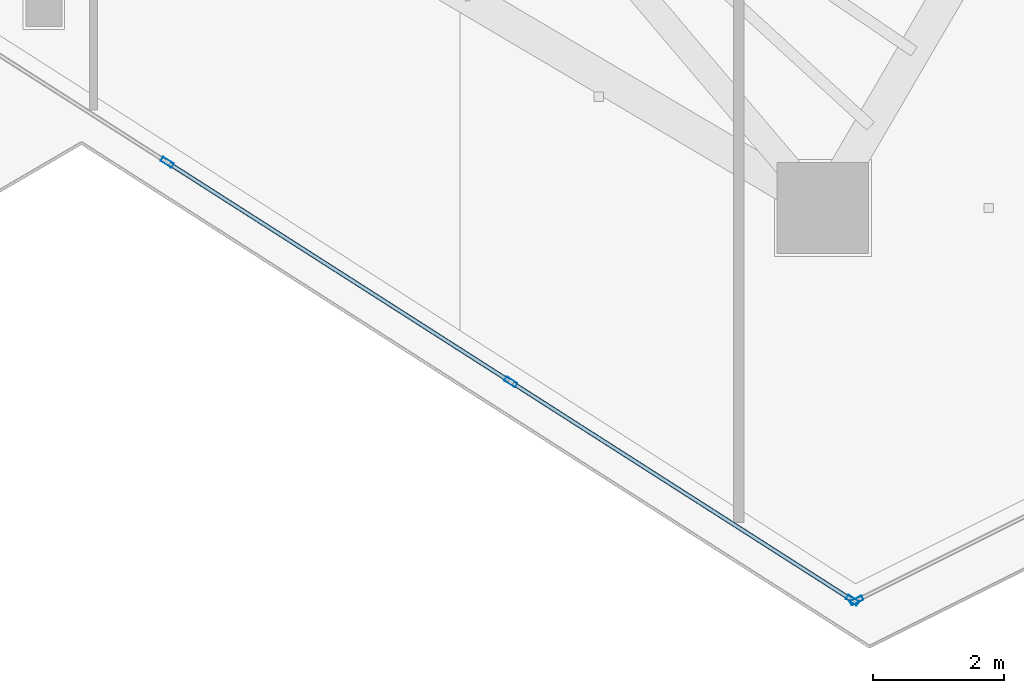
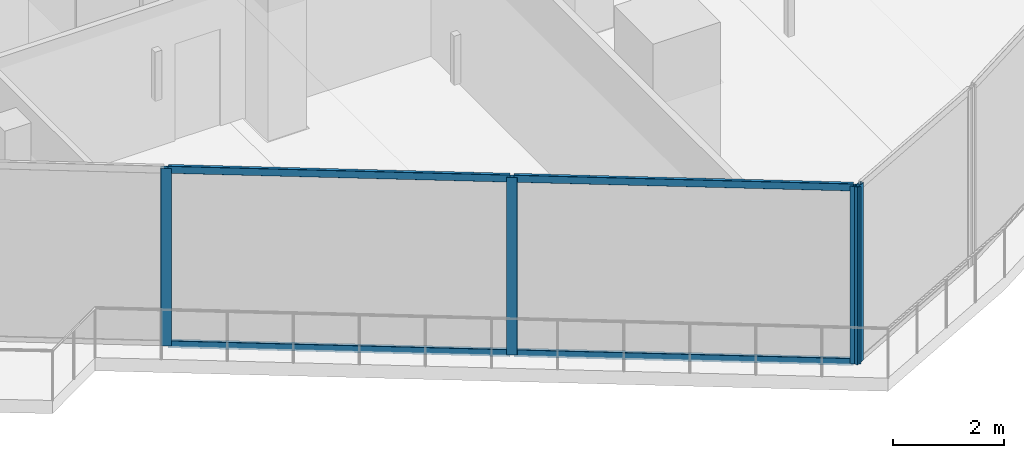
# One storey, part 3 of 27: 8 members, 2 elements without a shape of their own.
"""IFC4 building model written with IfcOpenShell, lengths in metres."""

from ifc_helpers import new_model, si_unit, direction, frame, origin, origin_2d, place, context, subcontext, project, spatial, hollow_rectangle, extrude, material, layer, layer_set, material_profile, profile_set, type_object, element, aggregate, save


model = new_model("IFC4")

# Units and contexts
model_context = context("Model", 3, precision=1e-05, world=origin(), true_north=direction((0.0, 1.0)))
body_context = subcontext(model_context, "Body", "Model", "MODEL_VIEW")
ifc_project = project(units=[si_unit("LENGTHUNIT", "METRE"), si_unit("AREAUNIT", "SQUARE_METRE"), si_unit("VOLUMEUNIT", "CUBIC_METRE"), si_unit("PLANEANGLEUNIT", "RADIAN"), si_unit("MASSUNIT", "GRAM", prefix="KILO")], contexts=[model_context])

# Site, building, storey
site_placement = place(None, origin())
site = spatial("IfcSite", under=ifc_project, at=site_placement, CompositionType="ELEMENT")
building_placement = place(site_placement, origin())
building = spatial("IfcBuilding", under=site, at=building_placement, Name="Qorvath Tower", CompositionType="ELEMENT")
storey_placement = place(building_placement, frame((0.0, 0.0, 293.39990234375)))
storey = spatial("IfcBuildingStorey", under=building, at=storey_placement, Name="L68", CompositionType="ELEMENT", Elevation=293.39990234375)

# Curtain wall, members
ifc_material_1 = material(Name="Anodised aluminium and triple low-E glass", Category="aluminium")
ifc_layer = layer(ifc_material_1, 0.179931640625)
ifc_layer_set = layer_set([ifc_layer], Name="CW-SYS-5")
curtain_wall_type = type_object("IfcCurtainWallType", Name="CW-SYS-5", PredefinedType="NOTDEFINED", material=ifc_layer_set)
curtain_wall_1_placement = place(storey_placement, origin())
curtain_wall_1 = element("IfcCurtainWall", 1, at=curtain_wall_1_placement, inside=storey, type_object=curtain_wall_type, Name="Curtain Wall CW-5 CW-T-L68-2.2", PredefinedType="NOTDEFINED")
ifc_material_2 = material(Name="Anodised aluminium 6063-T6", Category="aluminium")
ifc_material_profile_1 = material_profile(ifc_material_2, hollow_rectangle(XDim=0.074951171875, YDim=0.199951171875, WallThickness=0.00390625, InnerFilletRadius=0.00390625, OuterFilletRadius=0.008056640625, at=origin_2d()), Name="CWM 200x75")
ifc_profile_set_1 = profile_set([ifc_material_profile_1], Name="Anodised aluminium 6063-T6")
member_type_1 = type_object("IfcMemberType", Name="CWM-200", PredefinedType="MULLION", material=ifc_profile_set_1)
member_1_placement = place(storey_placement, frame((-28.789794921875, -16.4755859375, 0.0), z_axis=(0.0, 0.0, 1.0), x_axis=(0.538532681144, 0.842604623379, 0.0)))
member_1 = element("IfcMember", 2, at=member_1_placement, type_object=member_type_1, Name="CW-5 mullion 2", PredefinedType="MULLION", context=body_context, shape_type="SweptSolid", body=[
    extrude(hollow_rectangle(XDim=0.074951171875, YDim=0.199951171875, WallThickness=0.00390625, InnerFilletRadius=0.00390625, OuterFilletRadius=0.008056640625, at=origin_2d()), origin(), (0.0, 0.0, 1.0), 3.91015625),
])
member_2_placement = place(storey_placement, frame((-23.52783203125, -19.83837890625, 0.0), z_axis=(0.0, 0.0, 1.0), x_axis=(0.538532681144, 0.842604623379, 0.0)))
member_2 = element("IfcMember", 3, at=member_2_placement, type_object=member_type_1, Name="CW-5 mullion 3", PredefinedType="MULLION", context=body_context, shape_type="SweptSolid", body=[
    extrude(hollow_rectangle(XDim=0.074951171875, YDim=0.199951171875, WallThickness=0.00390625, InnerFilletRadius=0.00390625, OuterFilletRadius=0.008056640625, at=origin_2d()), origin(), (0.0, 0.0, 1.0), 3.91015625),
])
member_3_placement = place(storey_placement, frame((-18.297607421875, -23.18115234375, 0.0), z_axis=(0.0, 0.0, 1.0), x_axis=(0.538532681144, 0.842604623379, 0.0)))
member_3 = element("IfcMember", 4, at=member_3_placement, type_object=member_type_1, Name="CW-5 mullion 4", PredefinedType="MULLION", context=body_context, shape_type="SweptSolid", body=[
    extrude(hollow_rectangle(XDim=0.074951171875, YDim=0.199951171875, WallThickness=0.00390625, InnerFilletRadius=0.00390625, OuterFilletRadius=0.008056640625, at=origin_2d()), origin(), (0.0, 0.0, 1.0), 3.91015625),
])

# Curtain wall, member
curtain_wall_2_placement = place(storey_placement, origin())
curtain_wall_2 = element("IfcCurtainWall", 5, at=curtain_wall_2_placement, inside=storey, type_object=curtain_wall_type, Name="Curtain Wall CW-5 CW-T-L68-3.1", PredefinedType="NOTDEFINED")
member_4_placement = place(storey_placement, frame((-18.232666015625, -23.1845703125, 0.0), z_axis=(0.0, 0.0, 1.0), x_axis=(-0.447213595499, 0.894427191001, 0.0)))
member_4 = element("IfcMember", 6, at=member_4_placement, type_object=member_type_1, Name="CW-5 mullion 1", PredefinedType="MULLION", context=body_context, shape_type="SweptSolid", body=[
    extrude(hollow_rectangle(XDim=0.074951171875, YDim=0.199951171875, WallThickness=0.00390625, InnerFilletRadius=0.00390625, OuterFilletRadius=0.008056640625, at=origin_2d()), origin(), (0.0, 0.0, 1.0), 3.91015625),
])
aggregate(curtain_wall_2, [member_4])

# Member
ifc_material_3 = material(Name="Anodised aluminium 6063-T6", Category="aluminium")
ifc_material_profile_2 = material_profile(ifc_material_3, hollow_rectangle(XDim=0.06494140625, YDim=0.159912109375, WallThickness=0.00341796875, InnerFilletRadius=0.00341796875, OuterFilletRadius=0.007080078125, at=origin_2d()), Name="CWT 160x65")
ifc_profile_set_2 = profile_set([ifc_material_profile_2], Name="Anodised aluminium 6063-T6")
member_type_2 = type_object("IfcMemberType", Name="CWT-160", PredefinedType="USERDEFINED", material=ifc_profile_set_2)
member_5_placement = place(storey_placement, frame((-28.758056640625, -16.49560546875, 0.032470703125), z_axis=(0.842586028694, -0.538561773847, 0.0), x_axis=(0.538561773847, 0.842586028694, 0.0)))
member_5 = element("IfcMember", 7, at=member_5_placement, type_object=member_type_2, Name="CW-5 transom 2.1", ObjectType="TRANSOM", PredefinedType="USERDEFINED", context=body_context, shape_type="SweptSolid", body=[
    extrude(hollow_rectangle(XDim=0.06494140625, YDim=0.159912109375, WallThickness=0.00341796875, InnerFilletRadius=0.00341796875, OuterFilletRadius=0.007080078125, at=origin_2d()), origin(), (0.0, 0.0, 1.0), 6.169677734375),
])

member_6_placement = place(storey_placement, frame((-28.758056640625, -16.49560546875, 3.877685546875), z_axis=(0.842586028694, -0.538561773847, 0.0), x_axis=(0.538561773847, 0.842586028694, 0.0)))
member_6 = element("IfcMember", 8, at=member_6_placement, type_object=member_type_2, Name="CW-5 transom 2.2", ObjectType="TRANSOM", PredefinedType="USERDEFINED", context=body_context, shape_type="SweptSolid", body=[
    extrude(hollow_rectangle(XDim=0.06494140625, YDim=0.159912109375, WallThickness=0.00341796875, InnerFilletRadius=0.00341796875, OuterFilletRadius=0.007080078125, at=origin_2d()), origin(), (0.0, 0.0, 1.0), 6.169677734375),
])

member_7_placement = place(storey_placement, frame((-23.496337890625, -19.858642578125, 0.032470703125), z_axis=(0.842613961362, -0.538518070373, 0.0), x_axis=(0.538518070373, 0.842613961362, 0.0)))
member_7 = element("IfcMember", 9, at=member_7_placement, type_object=member_type_2, Name="CW-5 transom 3.1", ObjectType="TRANSOM", PredefinedType="USERDEFINED", context=body_context, shape_type="SweptSolid", body=[
    extrude(hollow_rectangle(XDim=0.06494140625, YDim=0.159912109375, WallThickness=0.00341796875, InnerFilletRadius=0.00341796875, OuterFilletRadius=0.007080078125, at=origin_2d()), origin(), (0.0, 0.0, 1.0), 6.132080078125),
])

member_8_placement = place(storey_placement, frame((-23.496337890625, -19.858642578125, 3.877685546875), z_axis=(0.842613961362, -0.538518070373, 0.0), x_axis=(0.538518070373, 0.842613961362, 0.0)))
member_8 = element("IfcMember", 10, at=member_8_placement, type_object=member_type_2, Name="CW-5 transom 3.2", ObjectType="TRANSOM", PredefinedType="USERDEFINED", context=body_context, shape_type="SweptSolid", body=[
    extrude(hollow_rectangle(XDim=0.06494140625, YDim=0.159912109375, WallThickness=0.00341796875, InnerFilletRadius=0.00341796875, OuterFilletRadius=0.007080078125, at=origin_2d()), origin(), (0.0, 0.0, 1.0), 6.132080078125),
])

aggregate(curtain_wall_1, [member_1, member_2, member_3, member_5, member_6, member_7, member_8])

save(model, "model.ifc")
